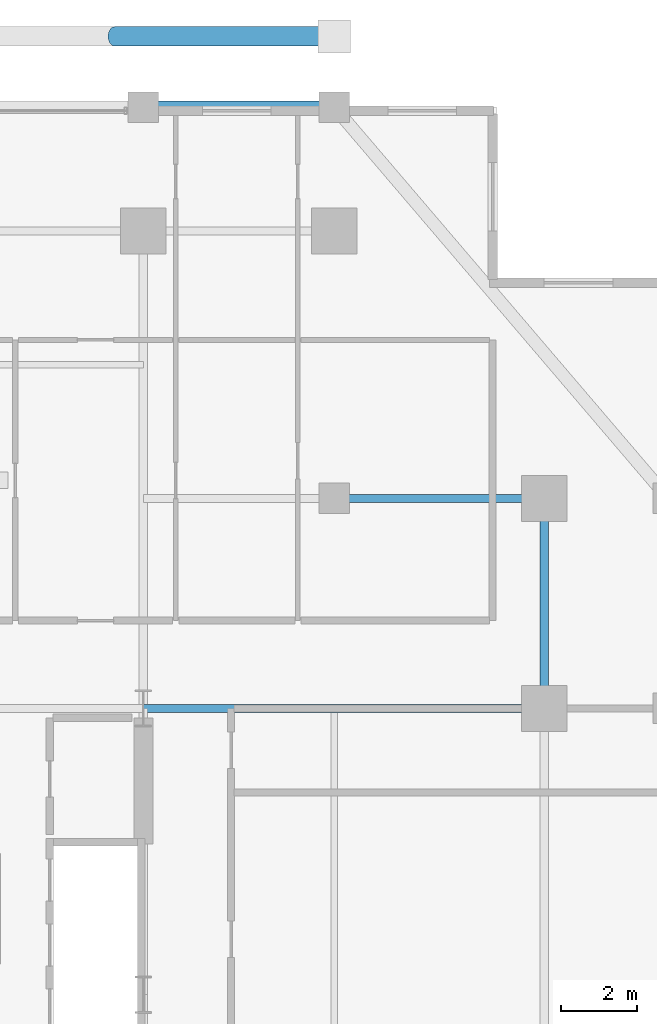
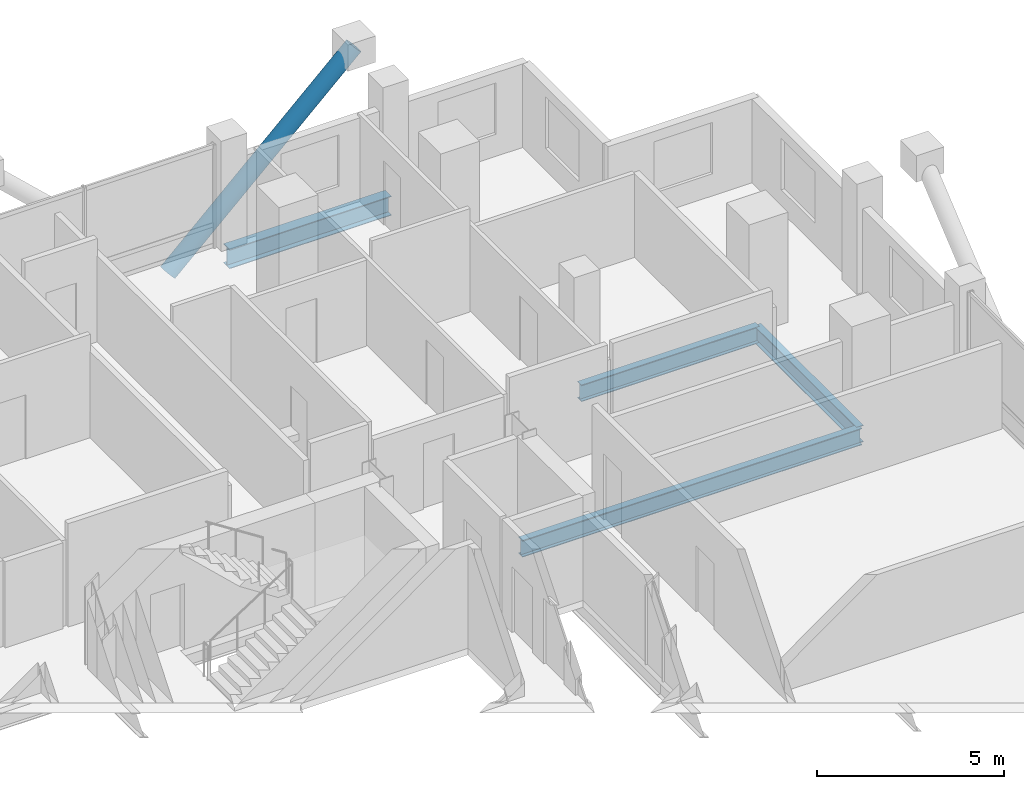
# One storey, part 14 of 23: 4 beams, 1 member.
"""IFC4 building model written with IfcOpenShell, lengths in metres."""

import ifcopenshell
import ifcopenshell.guid

model = None  # the IFC model being written
_history = None  # IfcOwnerHistory: only IFC2X3 demands one
_inside = {}  # id of a spatial element -> (the spatial element, [elements in it])
_under = {}  # id of a project, library or spatial element -> (it, [spatial elements below it])
_declared = {}  # id of a project -> (the project, [libraries it declares])
_typed = {}  # id of a type object -> (the type object, [elements of that type])
_made_of = {}  # id of a material, layer set ... -> (it, [elements and type objects made of it])


def new_model(schema):
    """Start an empty IFC model of exactly this schema.

    Asked for "IFC4X3", IfcOpenShell would pick the latest addendum, in which some entities
    have other attributes; the version numbers below select the first issue.
    IFC2X3 requires an IfcOwnerHistory on every rooted entity: one is made here for all.
    """
    global model, _history
    if schema == "IFC4X3":
        model = ifcopenshell.file(schema_version=(4, 3, 0, 0))
    else:
        model = ifcopenshell.file(schema=schema)
    _inside.clear()
    _under.clear()
    _declared.clear()
    _typed.clear()
    _made_of.clear()
    _history = None
    if model.schema == "IFC2X3":
        org = make("IfcOrganization", Name="unknown")
        user = make(
            "IfcPersonAndOrganization",
            ThePerson=make("IfcPerson", FamilyName="unknown"),
            TheOrganization=org,
        )
        app = make(
            "IfcApplication",
            ApplicationDeveloper=org,
            Version="unknown",
            ApplicationFullName="unknown",
            ApplicationIdentifier="unknown",
        )
        _history = make(
            "IfcOwnerHistory",
            OwningUser=user,
            OwningApplication=app,
            ChangeAction="ADDED",
            CreationDate=0,
        )
    return model


def make(cls, **values):
    """One entity of the class cls with the attributes given. An attribute that is None is left unset."""
    return model.create_entity(
        cls, **{name: value for name, value in values.items() if value is not None}
    )


def rooted(cls, **values):
    """An entity with a GlobalId (a new one), such as an element, a storey or a relation."""
    return make(cls, GlobalId=ifcopenshell.guid.new(), OwnerHistory=_history, **values)


def si_unit(unit_type, name, prefix=None):
    """IfcSIUnit, for example si_unit("LENGTHUNIT", "METRE", prefix="MILLI")."""
    return make("IfcSIUnit", UnitType=unit_type, Prefix=prefix, Name=name)


def assignment(units):
    """IfcUnitAssignment: the units of a project."""
    return None if units is None else make("IfcUnitAssignment", Units=units)


def point(xyz):
    """IfcCartesianPoint."""
    return None if xyz is None else make("IfcCartesianPoint", Coordinates=xyz)


def direction(xyz):
    """IfcDirection."""
    return None if xyz is None else make("IfcDirection", DirectionRatios=xyz)


def frame(location, z_axis=None, x_axis=None):
    """IfcAxis2Placement3D, a coordinate frame: its origin and axes. An axis left out is left unset."""
    return make(
        "IfcAxis2Placement3D",
        Location=point(location),
        Axis=direction(z_axis),
        RefDirection=direction(x_axis),
    )


def frame_2d(location, x_axis=None):
    """IfcAxis2Placement2D, a coordinate frame in the plane: its origin and x axis."""
    return make(
        "IfcAxis2Placement2D", Location=point(location), RefDirection=direction(x_axis)
    )


def origin():
    """The frame at (0, 0, 0) with its axes left unset."""
    return frame((0.0, 0.0, 0.0))


def origin_2d():
    """The frame at (0, 0) in the plane with its x axis left unset."""
    return frame_2d((0.0, 0.0))


def place(relative_to, where):
    """IfcLocalPlacement: puts the frame where relative to a parent placement (None: the world)."""
    return make(
        "IfcLocalPlacement", PlacementRelTo=relative_to, RelativePlacement=where
    )


def context(
    kind, dimensions, precision=None, world=None, true_north=None, identifier=None
):
    """IfcGeometricRepresentationContext, for example the 3D "Model" context."""
    return make(
        "IfcGeometricRepresentationContext",
        ContextIdentifier=identifier,
        ContextType=kind,
        CoordinateSpaceDimension=dimensions,
        Precision=precision,
        WorldCoordinateSystem=world,
        TrueNorth=true_north,
    )


def subcontext(parent, identifier, kind, view, scale=None):
    """IfcGeometricRepresentationSubContext, for example "Body" below "Model"."""
    return make(
        "IfcGeometricRepresentationSubContext",
        ContextIdentifier=identifier,
        ContextType=kind,
        ParentContext=parent,
        TargetScale=scale,
        TargetView=view,
    )


def project(units=None, contexts=None):
    """IfcProject with its units and contexts."""
    return rooted(
        "IfcProject",
        Name="project",
        RepresentationContexts=contexts,
        UnitsInContext=assignment(units),
    )


def spatial(cls, under=None, at=None, **own):
    """A site, building, storey or space (cls), placed at a placement, below another one or the project."""
    s = rooted(cls, ObjectPlacement=at, **own)
    if under is not None:
        _under.setdefault(under.id(), (under, []))[1].append(s)
    return s


def profile(cls, at=None, kind="AREA", **sizes):
    """A parametric profile (cls). Its sizes go by their IFC names, for example OverallWidth=200.0."""
    return make(cls, ProfileType=kind, Position=at, **sizes)


def hollow_circle(**sizes):
    """IfcCircleHollowProfileDef."""
    return profile("IfcCircleHollowProfileDef", **sizes)


def i_section(**sizes):
    """IfcIShapeProfileDef."""
    return profile("IfcIShapeProfileDef", **sizes)


def extrude(swept, where, along, depth):
    """IfcExtrudedAreaSolid: the profile swept, set in the frame where, extruded along a direction by depth."""
    return make(
        "IfcExtrudedAreaSolid",
        SweptArea=swept,
        Position=where,
        ExtrudedDirection=direction(along),
        Depth=depth,
    )


def shape(context_of_items, identifier, shape_type, items):
    """IfcShapeRepresentation: the items that make up one representation, for example the "Body"."""
    return make(
        "IfcShapeRepresentation",
        ContextOfItems=context_of_items,
        RepresentationIdentifier=identifier,
        RepresentationType=shape_type,
        Items=items,
    )


def material(Name=None, Category=None):
    """IfcMaterial."""
    return make("IfcMaterial", Name=Name, Category=Category)


def material_profile(
    of_material, cross_section, Name=None, Category=None, Priority=None
):
    """IfcMaterialProfile: a cross section and its material."""
    return make(
        "IfcMaterialProfile",
        Name=Name,
        Material=of_material,
        Profile=cross_section,
        Priority=Priority,
        Category=Category,
    )


def profile_set(profiles, Name=None, composite=None):
    """IfcMaterialProfileSet."""
    return make(
        "IfcMaterialProfileSet",
        Name=Name,
        MaterialProfiles=profiles,
        CompositeProfile=composite,
    )


def made_of(thing, what):
    """Note that an element or type object is made of a material, layer set ...; save() writes the relation."""
    if what is not None:
        _made_of.setdefault(what.id(), (what, []))[1].append(thing)
    return thing


def type_object(cls, material=None, **own):
    """A type object (cls), such as IfcWallType, which elements share."""
    return made_of(rooted(cls, **own), material)


def element(
    cls,
    number,
    at=None,
    inside=None,
    cuts=None,
    type_object=None,
    material=None,
    context=None,
    identifier="Body",
    shape_type=None,
    held_by="IfcProductDefinitionShape",
    body=None,
    shapes=None,
    **own,
):
    """One element of the class cls, such as IfcWall. Its Tag is "e" and its number.

    at: its placement. inside: the storey or other place that contains it. cuts: it is an
    opening in that element (IfcRelVoidsElement). A single representation is given by context,
    identifier, shape_type and body (its items); several are given by shapes. held_by: the class
    of the entity that holds the representations. save() writes the other relations.
    """
    e = rooted(cls, Tag="e%d" % number, ObjectPlacement=at, **own)
    if body is not None:
        shapes = [shape(context, identifier, shape_type, body)]
    if shapes is not None:
        e.Representation = make(held_by, Representations=shapes)
    if inside is not None:
        _inside.setdefault(inside.id(), (inside, []))[1].append(e)
    if cuts is not None:
        rooted(
            "IfcRelVoidsElement", RelatingBuildingElement=cuts, RelatedOpeningElement=e
        )
    if type_object is not None:
        _typed.setdefault(type_object.id(), (type_object, []))[1].append(e)
    return made_of(e, material)


def aggregate(whole, parts):
    """IfcRelAggregates: a whole, such as a stair, and the parts it consists of."""
    return rooted("IfcRelAggregates", RelatingObject=whole, RelatedObjects=parts)


def save(model, path):
    """Write the relations noted so far, then the file.

    IfcRelAggregates (storeys below a building ...), IfcRelContainedInSpatialStructure (elements
    in a storey), IfcRelDefinesByType, IfcRelAssociatesMaterial and IfcRelDeclares: one each for
    every whole, place, type object, material and project.
    """
    for whole, parts in _under.values():
        aggregate(whole, parts)
    for where, things in _inside.values():
        rooted(
            "IfcRelContainedInSpatialStructure",
            RelatedElements=things,
            RelatingStructure=where,
        )
    for kind, things in _typed.values():
        rooted("IfcRelDefinesByType", RelatedObjects=things, RelatingType=kind)
    for what, things in _made_of.values():
        rooted("IfcRelAssociatesMaterial", RelatedObjects=things, RelatingMaterial=what)
    for by, libraries in _declared.values():
        rooted("IfcRelDeclares", RelatingContext=by, RelatedDefinitions=libraries)
    model.write(path)


model = new_model("IFC4")

# Units and contexts
model_context = context("Model", 3, precision=1e-05, world=origin(), true_north=direction((0.0, 1.0)))
body_context = subcontext(model_context, "Body", "Model", "MODEL_VIEW")
ifc_project = project(units=[si_unit("LENGTHUNIT", "METRE"), si_unit("AREAUNIT", "SQUARE_METRE"), si_unit("VOLUMEUNIT", "CUBIC_METRE"), si_unit("PLANEANGLEUNIT", "RADIAN"), si_unit("MASSUNIT", "GRAM", prefix="KILO")], contexts=[model_context])

# Site, building, storey
site_placement = place(None, origin())
site = spatial("IfcSite", under=ifc_project, at=site_placement, CompositionType="ELEMENT")
building_placement = place(site_placement, origin())
building = spatial("IfcBuilding", under=site, at=building_placement, Name="Barlavira Tower and Art Museum", CompositionType="ELEMENT")
storey_placement = place(building_placement, frame((0.0, 0.0, 140.39990234375)))
storey = spatial("IfcBuildingStorey", under=building, at=storey_placement, Name="L35", CompositionType="ELEMENT", Elevation=140.39990234375)

# Member
ifc_material = material(Name="Steel S355", Category="steel")
ifc_material_profile_1 = material_profile(ifc_material, hollow_circle(Radius=0.25390625, WallThickness=0.022216796875, at=origin_2d()), Name="CHS 508.0x22.2")
ifc_profile_set_1 = profile_set([ifc_material_profile_1], Name="Steel S355")
member_type = type_object("IfcMemberType", Name="Pale-Metal Exoskeleton Diagrid Tube CHS 508x22 Steel S355", PredefinedType="BRACE", material=ifc_profile_set_1)
member_placement = place(storey_placement, frame((5.75, 25.10009765625, -1.919921875), z_axis=(0.728950095515, 0.0, 0.684566839869), x_axis=(0.0, 1.0, 0.0)))
element("IfcMember", 1, at=member_placement, inside=storey, type_object=member_type, Name="L35 Exoskeleton Diagrid Tube N", PredefinedType="BRACE", context=body_context, shape_type="SweptSolid", body=[
    extrude(hollow_circle(Radius=0.25390625, WallThickness=0.022216796875, at=origin_2d()), origin(), (0.0, 0.0, 1.0), 7.887939453125),
])

# Beams
ifc_material_profile_2 = material_profile(ifc_material, i_section(OverallWidth=0.327880859375, OverallDepth=0.62890625, WebThickness=0.013916015625, FlangeThickness=0.021484375, at=origin_2d()), Name="W610x174.0")
ifc_profile_set_2 = profile_set([ifc_material_profile_2], Name="Steel S355")
beam_type_1 = type_object("IfcBeamType", Name="Perimeter Spandrel Edge Beam W610x174 Steel S355", PredefinedType="SPANDREL", material=ifc_profile_set_2)
beam_1_placement = place(storey_placement, frame((6.5, 23.25, -0.534423828125), z_axis=(1.0, 0.0, 0.0), x_axis=(0.0, 1.0, 0.0)))
element("IfcBeam", 2, at=beam_1_placement, inside=storey, type_object=beam_type_1, Name="L35 Spandrel 9", PredefinedType="SPANDREL", context=body_context, shape_type="SweptSolid", body=[
    extrude(i_section(OverallWidth=0.327880859375, OverallDepth=0.62890625, WebThickness=0.013916015625, FlangeThickness=0.021484375, at=origin_2d()), origin(), (0.0, 0.0, 1.0), 5.0),
])
ifc_material_profile_3 = material_profile(ifc_material, i_section(OverallWidth=0.214111328125, OverallDepth=0.549072265625, WebThickness=0.0146484375, FlangeThickness=0.023681640625, at=origin_2d()), Name="W530x138.0")
ifc_profile_set_3 = profile_set([ifc_material_profile_3], Name="Steel S355")
beam_type_2 = type_object("IfcBeamType", Name="Zone 1 Primary Floor Girder W530x138 Steel S355", PredefinedType="BEAM", material=ifc_profile_set_3)
beam_2_placement = place(storey_placement, frame((17.0, 7.5, -0.494384765625), z_axis=(0.0, 1.0, 0.0), x_axis=(-1.0, 0.0, 0.0)))
element("IfcBeam", 3, at=beam_2_placement, inside=storey, type_object=beam_type_2, Name="L35 Girder M-E3", PredefinedType="BEAM", context=body_context, shape_type="SweptSolid", body=[
    extrude(i_section(OverallWidth=0.214111328125, OverallDepth=0.549072265625, WebThickness=0.0146484375, FlangeThickness=0.023681640625, at=origin_2d()), origin(), (0.0, 0.0, 1.0), 5.5),
])
beam_3_placement = place(storey_placement, frame((6.5, 7.5, -0.494384765625), z_axis=(1.0, 0.0, 0.0), x_axis=(0.0, 1.0, 0.0)))
element("IfcBeam", 4, at=beam_3_placement, inside=storey, type_object=beam_type_2, Name="L35 Girder R-E2", PredefinedType="BEAM", context=body_context, shape_type="SweptSolid", body=[
    extrude(i_section(OverallWidth=0.214111328125, OverallDepth=0.549072265625, WebThickness=0.0146484375, FlangeThickness=0.023681640625, at=origin_2d()), origin(), (0.0, 0.0, 1.0), 10.5),
])
beam_4_placement = place(storey_placement, frame((11.5, 13.0, -0.494384765625), z_axis=(1.0, 0.0, 0.0), x_axis=(0.0, 1.0, 0.0)))
element("IfcBeam", 5, at=beam_4_placement, inside=storey, type_object=beam_type_2, Name="L35 Girder I-N4", PredefinedType="BEAM", context=body_context, shape_type="SweptSolid", body=[
    extrude(i_section(OverallWidth=0.214111328125, OverallDepth=0.549072265625, WebThickness=0.0146484375, FlangeThickness=0.023681640625, at=origin_2d()), origin(), (0.0, 0.0, 1.0), 5.5),
])

save(model, "model.ifc")
